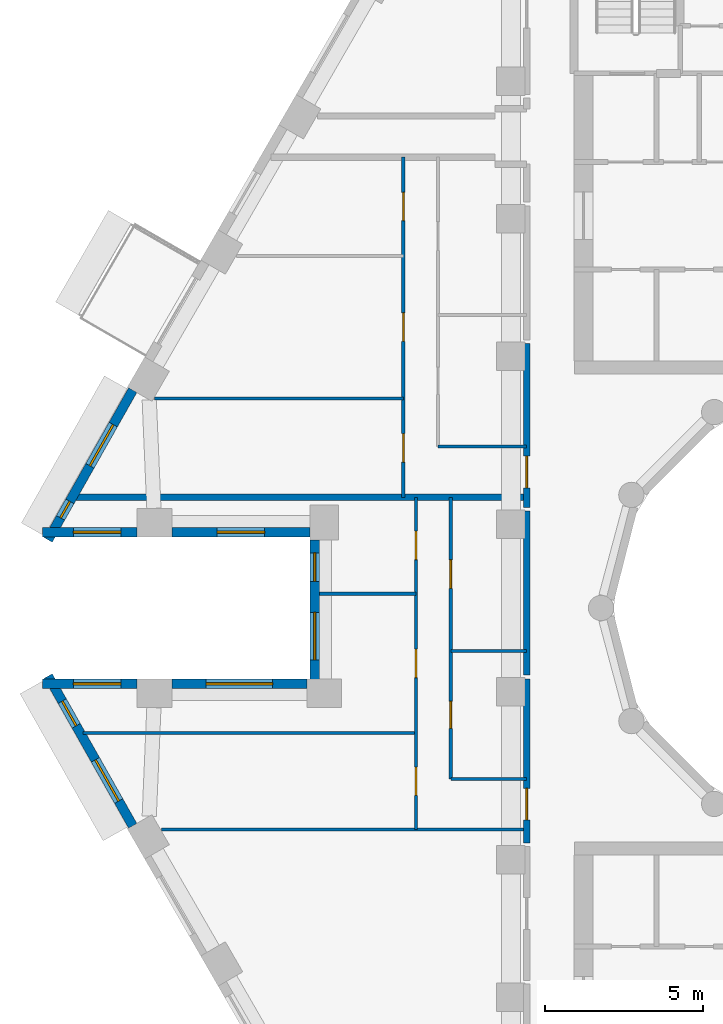
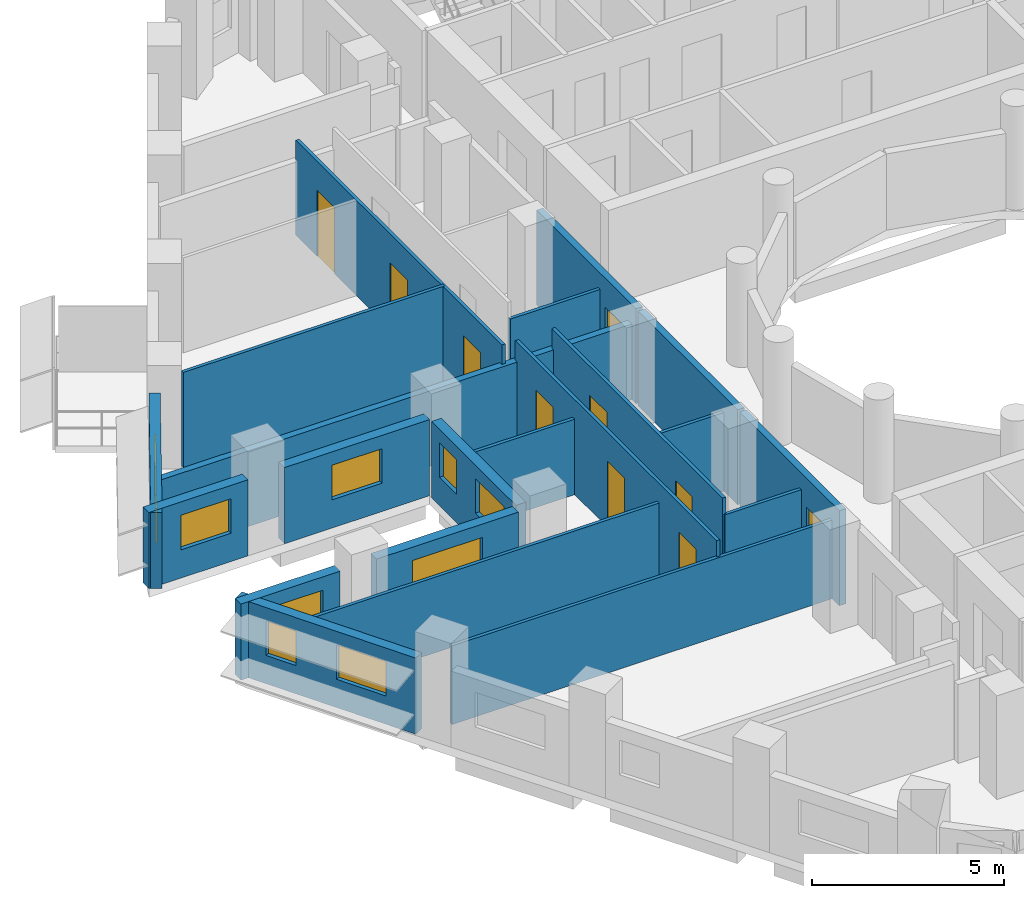
# One storey, part 4 of 14: 21 walls, 10 doors, 10 windows, 20 openings.
"""IFC4 building model written with IfcOpenShell, lengths in metres."""

from ifc_helpers import new_model, si_unit, direction, frame, frame_2d, origin, place, context, subcontext, project, spatial, rectangle, extrude, material, layer, layer_set, type_object, element, fill, save


model = new_model("IFC4")

# Units and contexts
model_context = context("Model", 3, precision=1e-05, world=origin(), true_north=direction((0.0, 1.0)))
body_context = subcontext(model_context, "Body", "Model", "MODEL_VIEW")
ifc_project = project(units=[si_unit("LENGTHUNIT", "METRE"), si_unit("AREAUNIT", "SQUARE_METRE"), si_unit("VOLUMEUNIT", "CUBIC_METRE"), si_unit("PLANEANGLEUNIT", "RADIAN"), si_unit("MASSUNIT", "GRAM", prefix="KILO")], contexts=[model_context])

# Site, building, storey
site_placement = place(None, origin())
site = spatial("IfcSite", under=ifc_project, at=site_placement, CompositionType="ELEMENT")
building_placement = place(site_placement, origin())
building = spatial("IfcBuilding", under=site, at=building_placement, Name="Nakaniwa Court", CompositionType="ELEMENT")
storey_placement = place(building_placement, frame((0.0, 0.0, 259.199951171875)))
storey = spatial("IfcBuildingStorey", under=building, at=storey_placement, Name="L68", CompositionType="ELEMENT", Elevation=259.199951171875)

# Wall, opening, door
ifc_material_1 = material(Name="Acoustic double stud partition")
ifc_layer_1 = layer(ifc_material_1, 0.199951171875)
ifc_layer_set_1 = layer_set([ifc_layer_1], Name="Acoustic double stud partition")
wall_type_1 = type_object("IfcWallType", Name="Acoustic double stud partition 200", PredefinedType="PARTITIONING", material=ifc_layer_set_1)
wall_1_placement = place(storey_placement, frame((70.5, 72.576904296875, 0.0), z_axis=(0.0, 0.0, 1.0), x_axis=(0.0, 1.0, 0.0)))
wall_1 = element("IfcWall", 1, at=wall_1_placement, inside=storey, type_object=wall_type_1, Name="Partition PW-089", PredefinedType="PARTITIONING", context=body_context, shape_type="SweptSolid", body=[
    extrude(rectangle(XDim=5.18603515625, YDim=0.199951171875, at=frame_2d((2.593017578125, 0.0))), origin(), (0.0, 0.0, 1.0), 3.025146484375),
])
opening_1_placement = place(wall_1_placement, frame((0.722900390625, 0.0, 0.0)))
opening_1 = element("IfcOpeningElement", 2, at=opening_1_placement, cuts=wall_1, Name="Opening D-01-04", PredefinedType="OPENING", context=body_context, shape_type="SweptSolid", body=[
    extrude(rectangle(XDim=1.0, YDim=2.10009765625, at=frame_2d((0.5, 1.050048828125))), frame((0.0, 0.10986328125, 0.0), z_axis=(0.0, -1.0, 0.0), x_axis=(1.0, 0.0, 0.0)), (0.0, 0.0, 1.0), 0.219970703125),
])
ifc_material_2 = material(Name="Solid core timber door set, black veneer", Category="wood")
door_type_1 = type_object("IfcDoorType", Name="Flat entrance door 1000", OperationType="NOTDEFINED", PredefinedType="DOOR", material=ifc_material_2)
door_1_placement = place(opening_1_placement, origin())
door_1 = element("IfcDoor", 3, at=door_1_placement, inside=storey, type_object=door_type_1, Name="Door D-01-04 L68-042", OperationType="SINGLE_SWING_LEFT", OverallHeight=2.10009765625, OverallWidth=1.0, PredefinedType="DOOR", context=body_context, shape_type="SweptSolid", body=[
    extrude(rectangle(XDim=1.0, YDim=2.10009765625, at=frame_2d((0.5, 1.050048828125))), frame((0.0, 0.02490234375, 0.0), z_axis=(0.0, -1.0, 0.0), x_axis=(1.0, 0.0, 0.0)), (0.0, 0.0, 1.0), 0.050048828125),
])
fill(opening_1, door_1)

# Wall
wall_2_placement = place(storey_placement, frame((70.5, 77.876953125, 0.0), z_axis=(0.0, 0.0, 1.0), x_axis=(0.0, 1.0, 0.0)))
element("IfcWall", 4, at=wall_2_placement, inside=storey, type_object=wall_type_1, Name="Partition PW-090", PredefinedType="PARTITIONING", context=body_context, shape_type="SweptSolid", body=[
    extrude(rectangle(XDim=5.18603515625, YDim=0.199951171875, at=frame_2d((2.593017578125, 0.0))), origin(), (0.0, 0.0, 1.0), 3.025146484375),
])

# Wall, opening, door
wall_3_placement = place(storey_placement, frame((70.5, 83.177001953125, 0.0), z_axis=(0.0, 0.0, 1.0), x_axis=(0.0, 1.0, 0.0)))
wall_3 = element("IfcWall", 5, at=wall_3_placement, inside=storey, type_object=wall_type_1, Name="Partition PW-091", PredefinedType="PARTITIONING", context=body_context, shape_type="SweptSolid", body=[
    extrude(rectangle(XDim=5.18603515625, YDim=0.199951171875, at=frame_2d((2.593017578125, 0.0))), origin(), (0.0, 0.0, 1.0), 3.025146484375),
])
opening_2_placement = place(wall_3_placement, frame((0.623046875, 0.0, 0.0)))
opening_2 = element("IfcOpeningElement", 6, at=opening_2_placement, cuts=wall_3, Name="Opening D-01-05", PredefinedType="OPENING", context=body_context, shape_type="SweptSolid", body=[
    extrude(rectangle(XDim=1.0, YDim=2.10009765625, at=frame_2d((0.5, 1.050048828125))), frame((0.0, 0.10986328125, 0.0), z_axis=(0.0, -1.0, 0.0), x_axis=(1.0, 0.0, 0.0)), (0.0, 0.0, 1.0), 0.219970703125),
])
door_2_placement = place(opening_2_placement, origin())
door_2 = element("IfcDoor", 7, at=door_2_placement, inside=storey, type_object=door_type_1, Name="Door D-01-05 L68-048", OperationType="SINGLE_SWING_LEFT", OverallHeight=2.10009765625, OverallWidth=1.0, PredefinedType="DOOR", context=body_context, shape_type="SweptSolid", body=[
    extrude(rectangle(XDim=1.0, YDim=2.10009765625, at=frame_2d((0.5, 1.050048828125))), frame((0.0, 0.02490234375, 0.0), z_axis=(0.0, -1.0, 0.0), x_axis=(1.0, 0.0, 0.0)), (0.0, 0.0, 1.0), 0.050048828125),
])
fill(opening_2, door_2)

# Wall
wall_4_placement = place(storey_placement, frame((56.213134765625, 83.5, 0.0), z_axis=(0.0, 0.0, 1.0), x_axis=(1.0, 0.0, 0.0)))
element("IfcWall", 8, at=wall_4_placement, inside=storey, type_object=wall_type_1, Name="Partition PW-116", PredefinedType="PARTITIONING", context=body_context, shape_type="SweptSolid", body=[
    extrude(rectangle(XDim=14.286865234375, YDim=0.199951171875, at=frame_2d((7.1435546875, 0.0))), origin(), (0.0, 0.0, 1.0), 2.405029296875),
])

# Wall, openings, windows
ifc_material_3 = material(Name="Charcoal ceramic cladding")
ifc_layer_2 = layer(ifc_material_3, 0.02, Name="Ceramic cladding")
ifc_material_4 = material(Name="Ventilated air cavity")
ifc_layer_3 = layer(ifc_material_4, 0.04, ventilated=True, Name="Ventilated cavity")
ifc_material_5 = material(Name="Mineral wool insulation")
ifc_layer_4 = layer(ifc_material_5, 0.1, Name="Insulation")
ifc_material_6 = material(Name="Cement bonded sheathing board")
ifc_layer_5 = layer(ifc_material_6, 0.012, Name="Sheathing")
ifc_material_7 = material(Name="Cold-formed galvanised stud frame with mineral wool infill")
ifc_layer_6 = layer(ifc_material_7, 0.1, Name="Stud frame")
ifc_material_8 = material(Name="Fire-rated gypsum plasterboard lining")
ifc_layer_7 = layer(ifc_material_8, 0.028, Name="Lining")
ifc_layer_set_2 = layer_set([ifc_layer_2, ifc_layer_3, ifc_layer_4, ifc_layer_5, ifc_layer_6, ifc_layer_7], Name="Charcoal ceramic faced external wall system")
wall_type_2 = type_object("IfcWallType", Name="Black ceramic faced external wall 300", PredefinedType="SOLIDWALL", material=ifc_layer_set_2)
wall_5_placement = place(storey_placement, frame((58.048095703125, 86.886474609375, 0.0), z_axis=(0.0, 0.0, 1.0), x_axis=(-0.492080931903, -0.870549456641, 0.0)))
wall_5 = element("IfcWall", 9, at=wall_5_placement, inside=storey, type_object=wall_type_2, Name="L68 external wall 14", PredefinedType="SOLIDWALL", context=body_context, shape_type="SweptSolid", body=[
    extrude(rectangle(XDim=5.436767578125, YDim=0.300048828125, at=frame_2d((2.71826171875, 0.0))), origin(), (0.0, 0.0, 1.0), 2.425048828125),
])
opening_3_placement = place(wall_5_placement, frame((1.251220703125, 0.0, 0.89990234375)))
opening_3 = element("IfcOpeningElement", 10, at=opening_3_placement, cuts=wall_5, Name="Opening W5.11", PredefinedType="OPENING", context=body_context, shape_type="SweptSolid", body=[
    extrude(rectangle(XDim=1.5, YDim=1.10009765625, at=frame_2d((0.75, 0.550048828125))), frame((0.0, 0.159912109375, 0.0), z_axis=(0.0, -1.0, 0.0), x_axis=(1.0, 0.0, 0.0)), (0.0, 0.0, 1.0), 0.320068359375),
])
opening_4_placement = place(wall_5_placement, frame((4.03955078125, 0.0, 0.89990234375)))
opening_4 = element("IfcOpeningElement", 11, at=opening_4_placement, cuts=wall_5, Name="Opening W8.12", PredefinedType="OPENING", context=body_context, shape_type="SweptSolid", body=[
    extrude(rectangle(XDim=0.60009765625, YDim=1.10009765625, at=frame_2d((0.300048828125, 0.550048828125))), frame((0.0, 0.159912109375, 0.0), z_axis=(0.0, -1.0, 0.0), x_axis=(1.0, 0.0, 0.0)), (0.0, 0.0, 1.0), 0.320068359375),
])
ifc_material_9 = material(Name="Black anodised aluminium frame with dark low-E laminated double glazing", Category="aluminium")
window_type_1 = type_object("IfcWindowType", Name="Dark glass window 1500x1100 sill 900", PartitioningType="SINGLE_PANEL", PredefinedType="WINDOW", material=ifc_material_9)
window_1_placement = place(opening_3_placement, origin())
window_1 = element("IfcWindow", 12, at=window_1_placement, inside=storey, type_object=window_type_1, Name="L68 bedroom window 14-0", OverallHeight=1.10009765625, OverallWidth=1.5, PartitioningType="SINGLE_PANEL", PredefinedType="WINDOW", context=body_context, shape_type="SweptSolid", body=[
    extrude(rectangle(XDim=1.5, YDim=1.10009765625, at=frame_2d((0.75, 0.550048828125))), frame((0.0, 0.030029296875, 0.0), z_axis=(0.0, -1.0, 0.0), x_axis=(1.0, 0.0, 0.0)), (0.0, 0.0, 1.0), 0.06005859375),
])
fill(opening_3, window_1)
window_type_2 = type_object("IfcWindowType", Name="Dark glass window 600x1100 sill 900", PartitioningType="SINGLE_PANEL", PredefinedType="WINDOW", material=ifc_material_9)
window_2_placement = place(opening_4_placement, origin())
window_2 = element("IfcWindow", 13, at=window_2_placement, inside=storey, type_object=window_type_2, Name="L68 bedroom window 14-1", OverallHeight=1.10009765625, OverallWidth=0.60009765625, PartitioningType="SINGLE_PANEL", PredefinedType="WINDOW", context=body_context, shape_type="SweptSolid", body=[
    extrude(rectangle(XDim=0.60009765625, YDim=1.10009765625, at=frame_2d((0.300048828125, 0.550048828125))), frame((0.0, 0.030029296875, 0.0), z_axis=(0.0, -1.0, 0.0), x_axis=(1.0, 0.0, 0.0)), (0.0, 0.0, 1.0), 0.06005859375),
])
fill(opening_4, window_2)

# Wall, opening, window
wall_6_placement = place(storey_placement, frame((55.2021484375, 82.39990234375, 0.0), z_axis=(0.0, 0.0, 1.0), x_axis=(1.0, 0.0, 0.0)))
wall_6 = element("IfcWall", 14, at=wall_6_placement, inside=storey, type_object=wall_type_2, Name="L68 external wall 15", PredefinedType="SOLIDWALL", context=body_context, shape_type="SweptSolid", body=[
    extrude(rectangle(XDim=2.98779296875, YDim=0.300048828125, at=frame_2d((1.493896484375, 0.0))), origin(), (0.0, 0.0, 1.0), 2.425048828125),
])
opening_5_placement = place(wall_6_placement, frame((0.968994140625, 0.0, 0.89990234375)))
opening_5 = element("IfcOpeningElement", 15, at=opening_5_placement, cuts=wall_6, Name="Opening W5.13", PredefinedType="OPENING", context=body_context, shape_type="SweptSolid", body=[
    extrude(rectangle(XDim=1.5, YDim=1.10009765625, at=frame_2d((0.75, 0.550048828125))), frame((0.0, 0.159912109375, 0.0), z_axis=(0.0, -1.0, 0.0), x_axis=(1.0, 0.0, 0.0)), (0.0, 0.0, 1.0), 0.320068359375),
])
window_3_placement = place(opening_5_placement, origin())
window_3 = element("IfcWindow", 16, at=window_3_placement, inside=storey, type_object=window_type_1, Name="L68 bedroom window 15-0", OverallHeight=1.10009765625, OverallWidth=1.5, PartitioningType="SINGLE_PANEL", PredefinedType="WINDOW", context=body_context, shape_type="SweptSolid", body=[
    extrude(rectangle(XDim=1.5, YDim=1.10009765625, at=frame_2d((0.75, 0.550048828125))), frame((0.0, 0.030029296875, 0.0), z_axis=(0.0, -1.0, 0.0), x_axis=(1.0, 0.0, 0.0)), (0.0, 0.0, 1.0), 0.06005859375),
])
fill(opening_5, window_3)

wall_7_placement = place(storey_placement, frame((59.281982421875, 82.39990234375, 0.0), z_axis=(0.0, 0.0, 1.0), x_axis=(1.0, 0.0, 0.0)))
wall_7 = element("IfcWall", 17, at=wall_7_placement, inside=storey, type_object=wall_type_2, Name="L68 external wall 16", PredefinedType="SOLIDWALL", context=body_context, shape_type="SweptSolid", body=[
    extrude(rectangle(XDim=4.37255859375, YDim=0.300048828125, at=frame_2d((2.186279296875, 0.0))), origin(), (0.0, 0.0, 1.0), 2.425048828125),
])
opening_6_placement = place(wall_7_placement, frame((1.436279296875, 0.0, 0.89990234375)))
opening_6 = element("IfcOpeningElement", 18, at=opening_6_placement, cuts=wall_7, Name="Opening W5.14", PredefinedType="OPENING", context=body_context, shape_type="SweptSolid", body=[
    extrude(rectangle(XDim=1.5, YDim=1.10009765625, at=frame_2d((0.75, 0.550048828125))), frame((0.0, 0.159912109375, 0.0), z_axis=(0.0, -1.0, 0.0), x_axis=(1.0, 0.0, 0.0)), (0.0, 0.0, 1.0), 0.320068359375),
])
window_4_placement = place(opening_6_placement, origin())
window_4 = element("IfcWindow", 19, at=window_4_placement, inside=storey, type_object=window_type_1, Name="L68 bedroom window 16-0", OverallHeight=1.10009765625, OverallWidth=1.5, PartitioningType="SINGLE_PANEL", PredefinedType="WINDOW", context=body_context, shape_type="SweptSolid", body=[
    extrude(rectangle(XDim=1.5, YDim=1.10009765625, at=frame_2d((0.75, 0.550048828125))), frame((0.0, 0.030029296875, 0.0), z_axis=(0.0, -1.0, 0.0), x_axis=(1.0, 0.0, 0.0)), (0.0, 0.0, 1.0), 0.06005859375),
])
fill(opening_6, window_4)

# Wall, openings, windows
wall_8_placement = place(storey_placement, frame((63.800537109375, 82.154052734375, 0.0), z_axis=(0.0, 0.0, 1.0), x_axis=(0.0, -1.0, 0.0)))
wall_8 = element("IfcWall", 20, at=wall_8_placement, inside=storey, type_object=wall_type_2, Name="L68 external wall 17", PredefinedType="SOLIDWALL", context=body_context, shape_type="SweptSolid", body=[
    extrude(rectangle(XDim=4.407958984375, YDim=0.300048828125, at=frame_2d((2.2041015625, 0.0))), origin(), (0.0, 0.0, 1.0), 2.425048828125),
])
opening_7_placement = place(wall_8_placement, frame((0.4130859375, 0.0, 0.89990234375)))
opening_7 = element("IfcOpeningElement", 21, at=opening_7_placement, cuts=wall_8, Name="Opening W9.15", PredefinedType="OPENING", context=body_context, shape_type="SweptSolid", body=[
    extrude(rectangle(XDim=0.89990234375, YDim=1.10009765625, at=frame_2d((0.449951171875, 0.550048828125))), frame((0.0, 0.159912109375, 0.0), z_axis=(0.0, -1.0, 0.0), x_axis=(1.0, 0.0, 0.0)), (0.0, 0.0, 1.0), 0.320068359375),
])
opening_8_placement = place(wall_8_placement, frame((2.293212890625, 0.0, 0.89990234375)))
opening_8 = element("IfcOpeningElement", 22, at=opening_8_placement, cuts=wall_8, Name="Opening W5.16", PredefinedType="OPENING", context=body_context, shape_type="SweptSolid", body=[
    extrude(rectangle(XDim=1.5, YDim=1.10009765625, at=frame_2d((0.75, 0.550048828125))), frame((0.0, 0.159912109375, 0.0), z_axis=(0.0, -1.0, 0.0), x_axis=(1.0, 0.0, 0.0)), (0.0, 0.0, 1.0), 0.320068359375),
])
window_5_placement = place(opening_8_placement, origin())
window_5 = element("IfcWindow", 23, at=window_5_placement, inside=storey, type_object=window_type_1, Name="L68 living window 17-1", OverallHeight=1.10009765625, OverallWidth=1.5, PartitioningType="SINGLE_PANEL", PredefinedType="WINDOW", context=body_context, shape_type="SweptSolid", body=[
    extrude(rectangle(XDim=1.5, YDim=1.10009765625, at=frame_2d((0.75, 0.550048828125))), frame((0.0, 0.030029296875, 0.0), z_axis=(0.0, -1.0, 0.0), x_axis=(1.0, 0.0, 0.0)), (0.0, 0.0, 1.0), 0.06005859375),
])
fill(opening_8, window_5)
window_type_3 = type_object("IfcWindowType", Name="Dark glass window 900x1100 sill 900", PartitioningType="SINGLE_PANEL", PredefinedType="WINDOW", material=ifc_material_9)
window_6_placement = place(opening_7_placement, origin())
window_6 = element("IfcWindow", 24, at=window_6_placement, inside=storey, type_object=window_type_3, Name="L68 bedroom window 17-0", OverallHeight=1.10009765625, OverallWidth=0.89990234375, PartitioningType="SINGLE_PANEL", PredefinedType="WINDOW", context=body_context, shape_type="SweptSolid", body=[
    extrude(rectangle(XDim=0.89990234375, YDim=1.10009765625, at=frame_2d((0.449951171875, 0.550048828125))), frame((0.0, 0.030029296875, 0.0), z_axis=(0.0, -1.0, 0.0), x_axis=(1.0, 0.0, 0.0)), (0.0, 0.0, 1.0), 0.06005859375),
])
fill(opening_7, window_6)

# Wall, opening, window
wall_9_placement = place(storey_placement, frame((63.554443359375, 77.60009765625, 0.0), z_axis=(0.0, 0.0, 1.0), x_axis=(-1.0, 0.0, 0.0)))
wall_9 = element("IfcWall", 25, at=wall_9_placement, inside=storey, type_object=wall_type_2, Name="L68 external wall 18", PredefinedType="SOLIDWALL", context=body_context, shape_type="SweptSolid", body=[
    extrude(rectangle(XDim=4.2724609375, YDim=0.300048828125, at=frame_2d((2.13623046875, 0.0))), origin(), (0.0, 0.0, 1.0), 2.425048828125),
])
opening_9_placement = place(wall_9_placement, frame((1.086181640625, 0.0, 0.89990234375)))
opening_9 = element("IfcOpeningElement", 26, at=opening_9_placement, cuts=wall_9, Name="Opening W7.17", PredefinedType="OPENING", context=body_context, shape_type="SweptSolid", body=[
    extrude(rectangle(XDim=2.10009765625, YDim=1.10009765625, at=frame_2d((1.050048828125, 0.550048828125))), frame((0.0, 0.159912109375, 0.0), z_axis=(0.0, -1.0, 0.0), x_axis=(1.0, 0.0, 0.0)), (0.0, 0.0, 1.0), 0.320068359375),
])
window_type_4 = type_object("IfcWindowType", Name="Dark glass window 2100x1100 sill 900", PartitioningType="SINGLE_PANEL", PredefinedType="WINDOW", material=ifc_material_9)
window_7_placement = place(opening_9_placement, origin())
window_7 = element("IfcWindow", 27, at=window_7_placement, inside=storey, type_object=window_type_4, Name="L68 living window 18-0", OverallHeight=1.10009765625, OverallWidth=2.10009765625, PartitioningType="SINGLE_PANEL", PredefinedType="WINDOW", context=body_context, shape_type="SweptSolid", body=[
    extrude(rectangle(XDim=2.10009765625, YDim=1.10009765625, at=frame_2d((1.050048828125, 0.550048828125))), frame((0.0, 0.030029296875, 0.0), z_axis=(0.0, -1.0, 0.0), x_axis=(1.0, 0.0, 0.0)), (0.0, 0.0, 1.0), 0.06005859375),
])
fill(opening_9, window_7)

wall_10_placement = place(storey_placement, frame((58.18994140625, 77.60009765625, 0.0), z_axis=(0.0, 0.0, 1.0), x_axis=(-1.0, 0.0, 0.0)))
wall_10 = element("IfcWall", 28, at=wall_10_placement, inside=storey, type_object=wall_type_2, Name="L68 external wall 19", PredefinedType="SOLIDWALL", context=body_context, shape_type="SweptSolid", body=[
    extrude(rectangle(XDim=2.98779296875, YDim=0.300048828125, at=frame_2d((1.493896484375, 0.0))), origin(), (0.0, 0.0, 1.0), 2.425048828125),
])
opening_10_placement = place(wall_10_placement, frame((0.51904296875, 0.0, 0.89990234375)))
opening_10 = element("IfcOpeningElement", 29, at=opening_10_placement, cuts=wall_10, Name="Opening W5.18", PredefinedType="OPENING", context=body_context, shape_type="SweptSolid", body=[
    extrude(rectangle(XDim=1.5, YDim=1.10009765625, at=frame_2d((0.75, 0.550048828125))), frame((0.0, 0.159912109375, 0.0), z_axis=(0.0, -1.0, 0.0), x_axis=(1.0, 0.0, 0.0)), (0.0, 0.0, 1.0), 0.320068359375),
])
window_8_placement = place(opening_10_placement, origin())
window_8 = element("IfcWindow", 30, at=window_8_placement, inside=storey, type_object=window_type_1, Name="L68 living window 19-0", OverallHeight=1.10009765625, OverallWidth=1.5, PartitioningType="SINGLE_PANEL", PredefinedType="WINDOW", context=body_context, shape_type="SweptSolid", body=[
    extrude(rectangle(XDim=1.5, YDim=1.10009765625, at=frame_2d((0.75, 0.550048828125))), frame((0.0, 0.030029296875, 0.0), z_axis=(0.0, -1.0, 0.0), x_axis=(1.0, 0.0, 0.0)), (0.0, 0.0, 1.0), 0.06005859375),
])
fill(opening_10, window_8)

# Wall, openings, windows
wall_11_placement = place(storey_placement, frame((55.372802734375, 77.846435546875, 0.0), z_axis=(0.0, 0.0, 1.0), x_axis=(0.492080931903, -0.870549456641, 0.0)))
wall_11 = element("IfcWall", 31, at=wall_11_placement, inside=storey, type_object=wall_type_2, Name="L68 external wall 20", PredefinedType="SOLIDWALL", context=body_context, shape_type="SweptSolid", body=[
    extrude(rectangle(XDim=5.436767578125, YDim=0.300048828125, at=frame_2d((2.71826171875, 0.0))), origin(), (0.0, 0.0, 1.0), 2.425048828125),
])
opening_11_placement = place(wall_11_placement, frame((0.906494140625, 0.0, 0.89990234375)))
opening_11 = element("IfcOpeningElement", 32, at=opening_11_placement, cuts=wall_11, Name="Opening W9.19", PredefinedType="OPENING", context=body_context, shape_type="SweptSolid", body=[
    extrude(rectangle(XDim=0.89990234375, YDim=1.10009765625, at=frame_2d((0.449951171875, 0.550048828125))), frame((0.0, 0.159912109375, 0.0), z_axis=(0.0, -1.0, 0.0), x_axis=(1.0, 0.0, 0.0)), (0.0, 0.0, 1.0), 0.320068359375),
])
opening_12_placement = place(wall_11_placement, frame((3.036376953125, 0.0, 0.89990234375)))
opening_12 = element("IfcOpeningElement", 33, at=opening_12_placement, cuts=wall_11, Name="Opening W5.20", PredefinedType="OPENING", context=body_context, shape_type="SweptSolid", body=[
    extrude(rectangle(XDim=1.5, YDim=1.10009765625, at=frame_2d((0.75, 0.550048828125))), frame((0.0, 0.159912109375, 0.0), z_axis=(0.0, -1.0, 0.0), x_axis=(1.0, 0.0, 0.0)), (0.0, 0.0, 1.0), 0.320068359375),
])
window_9_placement = place(opening_12_placement, origin())
window_9 = element("IfcWindow", 34, at=window_9_placement, inside=storey, type_object=window_type_1, Name="L68 bedroom window 20-1", OverallHeight=1.10009765625, OverallWidth=1.5, PartitioningType="SINGLE_PANEL", PredefinedType="WINDOW", context=body_context, shape_type="SweptSolid", body=[
    extrude(rectangle(XDim=1.5, YDim=1.10009765625, at=frame_2d((0.75, 0.550048828125))), frame((0.0, 0.030029296875, 0.0), z_axis=(0.0, -1.0, 0.0), x_axis=(1.0, 0.0, 0.0)), (0.0, 0.0, 1.0), 0.06005859375),
])
fill(opening_12, window_9)
window_10_placement = place(opening_11_placement, origin())
window_10 = element("IfcWindow", 35, at=window_10_placement, inside=storey, type_object=window_type_3, Name="L68 living window 20-0", OverallHeight=1.10009765625, OverallWidth=0.89990234375, PartitioningType="SINGLE_PANEL", PredefinedType="WINDOW", context=body_context, shape_type="SweptSolid", body=[
    extrude(rectangle(XDim=0.89990234375, YDim=1.10009765625, at=frame_2d((0.449951171875, 0.550048828125))), frame((0.0, 0.030029296875, 0.0), z_axis=(0.0, -1.0, 0.0), x_axis=(1.0, 0.0, 0.0)), (0.0, 0.0, 1.0), 0.06005859375),
])
fill(opening_11, window_10)

# Walls
ifc_material_10 = material(Name="Single stud plasterboard partition")
ifc_layer_8 = layer(ifc_material_10, 0.10009765625)
ifc_layer_set_3 = layer_set([ifc_layer_8], Name="Single stud plasterboard partition")
wall_type_3 = type_object("IfcWallType", Name="Single stud plasterboard partition 100", PredefinedType="PARTITIONING", material=ifc_layer_set_3)
wall_12_placement = place(storey_placement, frame((58.94970703125, 73.0, 0.0), z_axis=(0.0, 0.0, 1.0), x_axis=(1.0, 0.0, 0.0)))
element("IfcWall", 36, at=wall_12_placement, inside=storey, type_object=wall_type_3, Name="Partition PW-112", PredefinedType="PARTITIONING", context=body_context, shape_type="SweptSolid", body=[
    extrude(rectangle(XDim=11.55029296875, YDim=0.10009765625, at=frame_2d((5.775146484375, 0.0))), origin(), (0.0, 0.0, 1.0), 2.505126953125),
])
for number, where, z_axis, x_axis, name in (
    (37, (68.10009765625, 78.64501953125, 0.0), (0.0, 0.0, 1.0), (1.0, 0.0, 0.0), "Partition PW-113"),
    (38, (68.10009765625, 74.60009765625, 0.0), (0.0, 0.0, 1.0), (1.0, 0.0, 0.0), "Partition PW-114"),
):
    element("IfcWall", number, at=place(storey_placement, frame(where, z_axis=z_axis, x_axis=x_axis)), inside=storey, type_object=wall_type_3, Name=name, PredefinedType="PARTITIONING", context=body_context, shape_type="SweptSolid", body=[
        extrude(rectangle(XDim=2.39990234375, YDim=0.10009765625, at=frame_2d((1.199951171875, 0.0))), origin(), (0.0, 0.0, 1.0), 2.505126953125),
    ])

# Wall, openings, doors
wall_13_placement = place(storey_placement, frame((68.10009765625, 83.5, 0.0), z_axis=(0.0, 0.0, 1.0), x_axis=(0.0, -1.0, 0.0)))
wall_13 = element("IfcWall", 39, at=wall_13_placement, inside=storey, type_object=wall_type_3, Name="Partition PW-115", PredefinedType="PARTITIONING", context=body_context, shape_type="SweptSolid", body=[
    extrude(rectangle(XDim=8.89990234375, YDim=0.10009765625, at=frame_2d((4.449951171875, 0.0))), origin(), (0.0, 0.0, 1.0), 3.025146484375),
])
opening_13_placement = place(wall_13_placement, frame((6.451904296875, 0.0, 0.0)))
opening_13 = element("IfcOpeningElement", 40, at=opening_13_placement, cuts=wall_13, Name="Opening D-03-04", PredefinedType="OPENING", context=body_context, shape_type="SweptSolid", body=[
    extrude(rectangle(XDim=0.85009765625, YDim=2.10009765625, at=frame_2d((0.425048828125, 1.050048828125))), frame((0.0, 0.06005859375, 0.0), z_axis=(0.0, -1.0, 0.0), x_axis=(1.0, 0.0, 0.0)), (0.0, 0.0, 1.0), 0.1201171875),
])
opening_14_placement = place(wall_13_placement, frame((1.97705078125, 0.0, 0.0)))
opening_14 = element("IfcOpeningElement", 41, at=opening_14_placement, cuts=wall_13, Name="Opening D-33-07", PredefinedType="OPENING", context=body_context, shape_type="SweptSolid", body=[
    extrude(rectangle(XDim=0.89990234375, YDim=2.10009765625, at=frame_2d((0.449951171875, 1.050048828125))), frame((0.0, 0.06005859375, 0.0), z_axis=(0.0, -1.0, 0.0), x_axis=(1.0, 0.0, 0.0)), (0.0, 0.0, 1.0), 0.1201171875),
])
ifc_material_11 = material(Name="Moisture sealed timber door set", Category="wood")
door_type_2 = type_object("IfcDoorType", Name="Bathroom door 850", OperationType="NOTDEFINED", PredefinedType="DOOR", material=ifc_material_11)
door_3_placement = place(opening_13_placement, origin())
door_3 = element("IfcDoor", 42, at=door_3_placement, inside=storey, type_object=door_type_2, Name="Door D-03-04 L68-043", OperationType="SINGLE_SWING_RIGHT", OverallHeight=2.10009765625, OverallWidth=0.85009765625, PredefinedType="DOOR", context=body_context, shape_type="SweptSolid", body=[
    extrude(rectangle(XDim=0.85009765625, YDim=2.10009765625, at=frame_2d((0.425048828125, 1.050048828125))), frame((0.0, 0.02490234375, 0.0), z_axis=(0.0, -1.0, 0.0), x_axis=(1.0, 0.0, 0.0)), (0.0, 0.0, 1.0), 0.050048828125),
])
fill(opening_13, door_3)
door_type_3 = type_object("IfcDoorType", Name="Internal door 900", OperationType="NOTDEFINED", PredefinedType="DOOR", material=ifc_material_2)
door_4_placement = place(opening_14_placement, origin())
door_4 = element("IfcDoor", 43, at=door_4_placement, inside=storey, type_object=door_type_3, Name="Door D-33-07 L68-044", OperationType="SINGLE_SWING_LEFT", OverallHeight=2.10009765625, OverallWidth=0.89990234375, PredefinedType="DOOR", context=body_context, shape_type="SweptSolid", body=[
    extrude(rectangle(XDim=0.89990234375, YDim=2.10009765625, at=frame_2d((0.449951171875, 1.050048828125))), frame((0.0, 0.02490234375, 0.0), z_axis=(0.0, -1.0, 0.0), x_axis=(1.0, 0.0, 0.0)), (0.0, 0.0, 1.0), 0.050048828125),
])
fill(opening_14, door_4)

wall_14_placement = place(storey_placement, frame((67.0, 73.0, 0.0), z_axis=(0.0, 0.0, 1.0), x_axis=(0.0, 1.0, 0.0)))
wall_14 = element("IfcWall", 44, at=wall_14_placement, inside=storey, type_object=wall_type_3, Name="Partition PW-117", PredefinedType="PARTITIONING", context=body_context, shape_type="SweptSolid", body=[
    extrude(rectangle(XDim=10.5, YDim=0.10009765625, at=frame_2d((5.25, 0.0))), origin(), (0.0, 0.0, 1.0), 3.025146484375),
])
opening_15_placement = place(wall_14_placement, frame((1.073974609375, 0.0, 0.0)))
opening_15 = element("IfcOpeningElement", 45, at=opening_15_placement, cuts=wall_14, Name="Opening D-33-08", PredefinedType="OPENING", context=body_context, shape_type="SweptSolid", body=[
    extrude(rectangle(XDim=0.89990234375, YDim=2.10009765625, at=frame_2d((0.449951171875, 1.050048828125))), frame((0.0, 0.06005859375, 0.0), z_axis=(0.0, -1.0, 0.0), x_axis=(1.0, 0.0, 0.0)), (0.0, 0.0, 1.0), 0.1201171875),
])
opening_16_placement = place(wall_14_placement, frame((4.800048828125, 0.0, 0.0)))
opening_16 = element("IfcOpeningElement", 46, at=opening_16_placement, cuts=wall_14, Name="Opening D-33-09", PredefinedType="OPENING", context=body_context, shape_type="SweptSolid", body=[
    extrude(rectangle(XDim=0.89990234375, YDim=2.10009765625, at=frame_2d((0.449951171875, 1.050048828125))), frame((0.0, 0.06005859375, 0.0), z_axis=(0.0, -1.0, 0.0), x_axis=(1.0, 0.0, 0.0)), (0.0, 0.0, 1.0), 0.1201171875),
])
opening_17_placement = place(wall_14_placement, frame((8.52587890625, 0.0, 0.0)))
opening_17 = element("IfcOpeningElement", 47, at=opening_17_placement, cuts=wall_14, Name="Opening D-33-10", PredefinedType="OPENING", context=body_context, shape_type="SweptSolid", body=[
    extrude(rectangle(XDim=0.89990234375, YDim=2.10009765625, at=frame_2d((0.449951171875, 1.050048828125))), frame((0.0, 0.06005859375, 0.0), z_axis=(0.0, -1.0, 0.0), x_axis=(1.0, 0.0, 0.0)), (0.0, 0.0, 1.0), 0.1201171875),
])
door_5_placement = place(opening_15_placement, origin())
door_5 = element("IfcDoor", 48, at=door_5_placement, inside=storey, type_object=door_type_3, Name="Door D-33-08 L68-045", OperationType="SINGLE_SWING_RIGHT", OverallHeight=2.10009765625, OverallWidth=0.89990234375, PredefinedType="DOOR", context=body_context, shape_type="SweptSolid", body=[
    extrude(rectangle(XDim=0.89990234375, YDim=2.10009765625, at=frame_2d((0.449951171875, 1.050048828125))), frame((0.0, 0.02490234375, 0.0), z_axis=(0.0, -1.0, 0.0), x_axis=(1.0, 0.0, 0.0)), (0.0, 0.0, 1.0), 0.050048828125),
])
fill(opening_15, door_5)
door_6_placement = place(opening_16_placement, origin())
door_6 = element("IfcDoor", 49, at=door_6_placement, inside=storey, type_object=door_type_3, Name="Door D-33-09 L68-046", OperationType="SINGLE_SWING_LEFT", OverallHeight=2.10009765625, OverallWidth=0.89990234375, PredefinedType="DOOR", context=body_context, shape_type="SweptSolid", body=[
    extrude(rectangle(XDim=0.89990234375, YDim=2.10009765625, at=frame_2d((0.449951171875, 1.050048828125))), frame((0.0, 0.02490234375, 0.0), z_axis=(0.0, -1.0, 0.0), x_axis=(1.0, 0.0, 0.0)), (0.0, 0.0, 1.0), 0.050048828125),
])
fill(opening_16, door_6)
door_7_placement = place(opening_17_placement, origin())
door_7 = element("IfcDoor", 50, at=door_7_placement, inside=storey, type_object=door_type_3, Name="Door D-33-10 L68-047", OperationType="SINGLE_SWING_RIGHT", OverallHeight=2.10009765625, OverallWidth=0.89990234375, PredefinedType="DOOR", context=body_context, shape_type="SweptSolid", body=[
    extrude(rectangle(XDim=0.89990234375, YDim=2.10009765625, at=frame_2d((0.449951171875, 1.050048828125))), frame((0.0, 0.02490234375, 0.0), z_axis=(0.0, -1.0, 0.0), x_axis=(1.0, 0.0, 0.0)), (0.0, 0.0, 1.0), 0.050048828125),
])
fill(opening_17, door_7)

# Walls
wall_15_placement = place(storey_placement, frame((56.473876953125, 76.048095703125, 0.0), z_axis=(0.0, 0.0, 1.0), x_axis=(1.0, 0.0, 0.0)))
element("IfcWall", 51, at=wall_15_placement, inside=storey, type_object=wall_type_3, Name="Partition PW-118", PredefinedType="PARTITIONING", context=body_context, shape_type="SweptSolid", body=[
    extrude(rectangle(XDim=10.526123046875, YDim=0.10009765625, at=frame_2d((5.26318359375, 0.0))), origin(), (0.0, 0.0, 1.0), 2.405029296875),
])
wall_16_placement = place(storey_placement, frame((63.950439453125, 80.451904296875, 0.0), z_axis=(0.0, 0.0, 1.0), x_axis=(1.0, 0.0, 0.0)))
element("IfcWall", 52, at=wall_16_placement, inside=storey, type_object=wall_type_3, Name="Partition PW-119", PredefinedType="PARTITIONING", context=body_context, shape_type="SweptSolid", body=[
    extrude(rectangle(XDim=3.049560546875, YDim=0.10009765625, at=frame_2d((1.52490234375, 0.0))), origin(), (0.0, 0.0, 1.0), 2.405029296875),
])
wall_17_placement = place(storey_placement, frame((67.699951171875, 85.10009765625, 0.0), z_axis=(0.0, 0.0, 1.0), x_axis=(1.0, 0.0, 0.0)))
element("IfcWall", 53, at=wall_17_placement, inside=storey, type_object=wall_type_3, Name="Partition PW-121", PredefinedType="PARTITIONING", context=body_context, shape_type="SweptSolid", body=[
    extrude(rectangle(XDim=2.800048828125, YDim=0.10009765625, at=frame_2d((1.39990234375, 0.0))), origin(), (0.0, 0.0, 1.0), 2.505126953125),
])

# Wall, openings, doors
wall_18_placement = place(storey_placement, frame((66.60009765625, 83.5, 0.0), z_axis=(0.0, 0.0, 1.0), x_axis=(0.0, 1.0, 0.0)))
wall_18 = element("IfcWall", 54, at=wall_18_placement, inside=storey, type_object=wall_type_3, Name="Partition PW-123", PredefinedType="PARTITIONING", context=body_context, shape_type="SweptSolid", body=[
    extrude(rectangle(XDim=10.75, YDim=0.10009765625, at=frame_2d((5.375, 0.0))), origin(), (0.0, 0.0, 1.0), 3.025146484375),
])
opening_18_placement = place(wall_18_placement, frame((1.111083984375, 0.0, 0.0)))
opening_18 = element("IfcOpeningElement", 55, at=opening_18_placement, cuts=wall_18, Name="Opening D-33-12", PredefinedType="OPENING", context=body_context, shape_type="SweptSolid", body=[
    extrude(rectangle(XDim=0.89990234375, YDim=2.10009765625, at=frame_2d((0.449951171875, 1.050048828125))), frame((0.0, 0.06005859375, 0.0), z_axis=(0.0, -1.0, 0.0), x_axis=(1.0, 0.0, 0.0)), (0.0, 0.0, 1.0), 0.1201171875),
])
opening_19_placement = place(wall_18_placement, frame((4.925048828125, 0.0, 0.0)))
opening_19 = element("IfcOpeningElement", 56, at=opening_19_placement, cuts=wall_18, Name="Opening D-33-13", PredefinedType="OPENING", context=body_context, shape_type="SweptSolid", body=[
    extrude(rectangle(XDim=0.89990234375, YDim=2.10009765625, at=frame_2d((0.449951171875, 1.050048828125))), frame((0.0, 0.06005859375, 0.0), z_axis=(0.0, -1.0, 0.0), x_axis=(1.0, 0.0, 0.0)), (0.0, 0.0, 1.0), 0.1201171875),
])
opening_20_placement = place(wall_18_placement, frame((8.739990234375, 0.0, 0.0)))
opening_20 = element("IfcOpeningElement", 57, at=opening_20_placement, cuts=wall_18, Name="Opening D-33-14", PredefinedType="OPENING", context=body_context, shape_type="SweptSolid", body=[
    extrude(rectangle(XDim=0.89990234375, YDim=2.10009765625, at=frame_2d((0.449951171875, 1.050048828125))), frame((0.0, 0.06005859375, 0.0), z_axis=(0.0, -1.0, 0.0), x_axis=(1.0, 0.0, 0.0)), (0.0, 0.0, 1.0), 0.1201171875),
])
door_8_placement = place(opening_18_placement, origin())
door_8 = element("IfcDoor", 58, at=door_8_placement, inside=storey, type_object=door_type_3, Name="Door D-33-12 L68-051", OperationType="SINGLE_SWING_RIGHT", OverallHeight=2.10009765625, OverallWidth=0.89990234375, PredefinedType="DOOR", context=body_context, shape_type="SweptSolid", body=[
    extrude(rectangle(XDim=0.89990234375, YDim=2.10009765625, at=frame_2d((0.449951171875, 1.050048828125))), frame((0.0, 0.02490234375, 0.0), z_axis=(0.0, -1.0, 0.0), x_axis=(1.0, 0.0, 0.0)), (0.0, 0.0, 1.0), 0.050048828125),
])
fill(opening_18, door_8)
door_9_placement = place(opening_19_placement, origin())
door_9 = element("IfcDoor", 59, at=door_9_placement, inside=storey, type_object=door_type_3, Name="Door D-33-13 L68-052", OperationType="SINGLE_SWING_LEFT", OverallHeight=2.10009765625, OverallWidth=0.89990234375, PredefinedType="DOOR", context=body_context, shape_type="SweptSolid", body=[
    extrude(rectangle(XDim=0.89990234375, YDim=2.10009765625, at=frame_2d((0.449951171875, 1.050048828125))), frame((0.0, 0.02490234375, 0.0), z_axis=(0.0, -1.0, 0.0), x_axis=(1.0, 0.0, 0.0)), (0.0, 0.0, 1.0), 0.050048828125),
])
fill(opening_19, door_9)
door_10_placement = place(opening_20_placement, origin())
door_10 = element("IfcDoor", 60, at=door_10_placement, inside=storey, type_object=door_type_3, Name="Door D-33-14 L68-053", OperationType="SINGLE_SWING_RIGHT", OverallHeight=2.10009765625, OverallWidth=0.89990234375, PredefinedType="DOOR", context=body_context, shape_type="SweptSolid", body=[
    extrude(rectangle(XDim=0.89990234375, YDim=2.10009765625, at=frame_2d((0.449951171875, 1.050048828125))), frame((0.0, 0.02490234375, 0.0), z_axis=(0.0, -1.0, 0.0), x_axis=(1.0, 0.0, 0.0)), (0.0, 0.0, 1.0), 0.050048828125),
])
fill(opening_20, door_10)

# Wall
wall_19_placement = place(storey_placement, frame((58.73095703125, 86.62109375, 0.0), z_axis=(0.0, 0.0, 1.0), x_axis=(1.0, 0.0, 0.0)))
element("IfcWall", 61, at=wall_19_placement, inside=storey, type_object=wall_type_3, Name="Partition PW-124", PredefinedType="PARTITIONING", context=body_context, shape_type="SweptSolid", body=[
    extrude(rectangle(XDim=7.869140625, YDim=0.10009765625, at=frame_2d((3.9345703125, 0.0))), origin(), (0.0, 0.0, 1.0), 3.025146484375),
])

save(model, "model.ifc")
